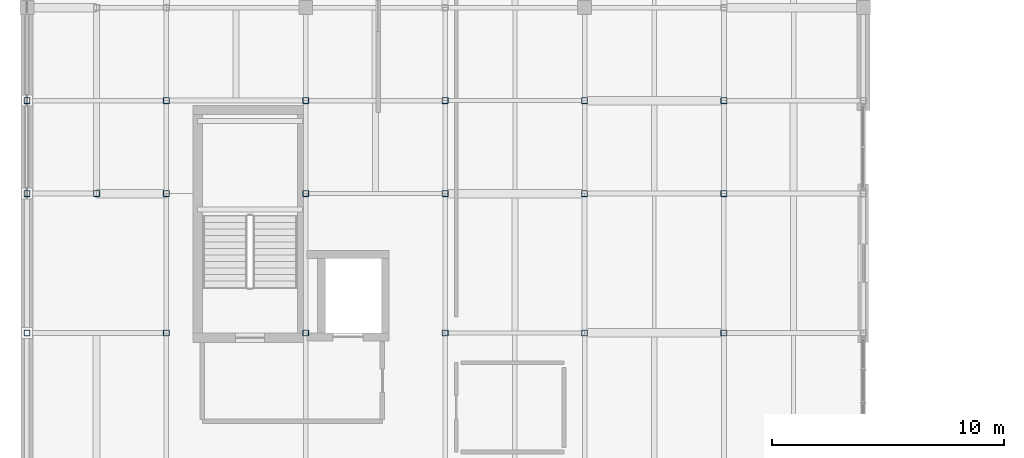
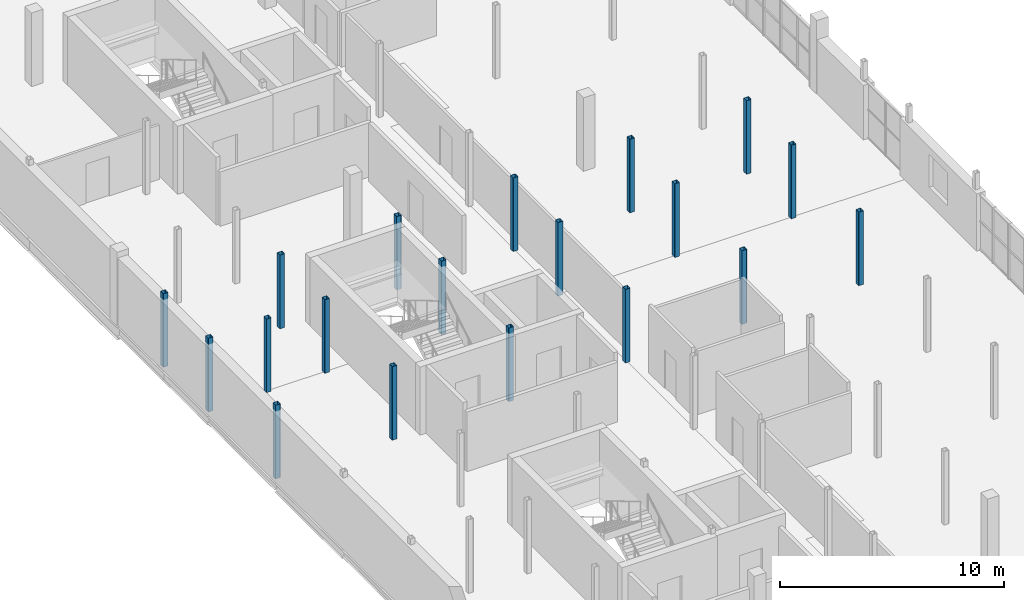
# One storey, part 4 of 35: 19 columns.
"""IFC4 building model written with IfcOpenShell, lengths in metres."""

from ifc_helpers import new_model, si_unit, direction, frame, origin, origin_2d, place, context, subcontext, project, spatial, hollow_rectangle, extrude, material, material_profile, profile_set, type_object, element, save


model = new_model("IFC4")

# Units and contexts
model_context = context("Model", 3, precision=1e-05, world=origin(), true_north=direction((0.0, 1.0)))
body_context = subcontext(model_context, "Body", "Model", "MODEL_VIEW")
ifc_project = project(units=[si_unit("LENGTHUNIT", "METRE"), si_unit("AREAUNIT", "SQUARE_METRE"), si_unit("VOLUMEUNIT", "CUBIC_METRE"), si_unit("PLANEANGLEUNIT", "RADIAN"), si_unit("MASSUNIT", "GRAM", prefix="KILO")], contexts=[model_context])

# Site, building, storey
site_placement = place(None, origin())
site = spatial("IfcSite", under=ifc_project, at=site_placement, CompositionType="ELEMENT")
building_placement = place(site_placement, origin())
building = spatial("IfcBuilding", under=site, at=building_placement, Name="Verrall Gate Interchange", CompositionType="ELEMENT")
storey_placement = place(building_placement, frame((0.0, 0.0, 15.39990234375)))
storey = spatial("IfcBuildingStorey", under=building, at=storey_placement, Name="L04", CompositionType="ELEMENT", Elevation=15.39990234375)

# Columns
ifc_material = material(Name="Structural Steel CSA G40.21 350WT Cat 4", Category="steel")
ifc_material_profile = material_profile(ifc_material, hollow_rectangle(XDim=0.25390625, YDim=0.25390625, WallThickness=0.009521484375, InnerFilletRadius=0.009521484375, OuterFilletRadius=0.01904296875, at=origin_2d()), Name="HSS254x254x9.5")
ifc_profile_set = profile_set([ifc_material_profile], Name="Structural Steel CSA G40.21 350WT Cat 4")
column_type = type_object("IfcColumnType", Name="C-13 Column HSS254x254x9.5", PredefinedType="COLUMN", material=ifc_profile_set)
for number, where, z_axis, x_axis, name in (
    (1, (0.0, 34.0, 0.0), (0.0, 0.0, 1.0), (1.0, 0.0, 0.0), "L04 Column COL-L04-0049 (C-13)"),
    (2, (0.0, 40.0, 0.0), (0.0, 0.0, 1.0), (1.0, 0.0, 0.0), "L04 Column COL-L04-0056 (C-13)"),
    (3, (0.0, 44.0, 0.0), (0.0, 0.0, 1.0), (1.0, 0.0, 0.0), "L04 Column COL-L04-0063 (C-13)"),
    (4, (3.0, 40.0, 0.0), (0.0, 0.0, 1.0), (1.0, 0.0, 0.0), "L04 Column COL-L04-0120 (C-13)"),
    (5, (6.0, 34.0, 0.0), (0.0, 0.0, 1.0), (1.0, 0.0, 0.0), "L04 Column COL-L04-0186 (C-13)"),
    (6, (6.0, 40.0, 0.0), (0.0, 0.0, 1.0), (1.0, 0.0, 0.0), "L04 Column COL-L04-0195 (C-13)"),
    (7, (6.0, 44.0, 0.0), (0.0, 0.0, 1.0), (1.0, 0.0, 0.0), "L04 Column COL-L04-0204 (C-13)"),
    (8, (12.0, 34.0, 0.0), (0.0, 0.0, 1.0), (1.0, 0.0, 0.0), "L04 Column COL-L04-0303 (C-13)"),
    (9, (12.0, 40.0, 0.0), (0.0, 0.0, 1.0), (1.0, 0.0, 0.0), "L04 Column COL-L04-0312 (C-13)"),
    (10, (12.0, 44.0, 0.0), (0.0, 0.0, 1.0), (1.0, 0.0, 0.0), "L04 Column COL-L04-0321 (C-13)"),
    (11, (18.0, 34.0, 0.0), (0.0, 0.0, 1.0), (1.0, 0.0, 0.0), "L04 Column COL-L04-0420 (C-13)"),
    (12, (18.0, 40.0, 0.0), (0.0, 0.0, 1.0), (1.0, 0.0, 0.0), "L04 Column COL-L04-0429 (C-13)"),
    (13, (18.0, 44.0, 0.0), (0.0, 0.0, 1.0), (1.0, 0.0, 0.0), "L04 Column COL-L04-0438 (C-13)"),
    (14, (24.0, 34.0, 0.0), (0.0, 0.0, 1.0), (1.0, 0.0, 0.0), "L04 Column COL-L04-0537 (C-13)"),
    (15, (24.0, 40.0, 0.0), (0.0, 0.0, 1.0), (1.0, 0.0, 0.0), "L04 Column COL-L04-0546 (C-13)"),
    (16, (24.0, 44.0, 0.0), (0.0, 0.0, 1.0), (1.0, 0.0, 0.0), "L04 Column COL-L04-0555 (C-13)"),
    (17, (30.0, 34.0, 0.0), (0.0, 0.0, 1.0), (1.0, 0.0, 0.0), "L04 Column COL-L04-0654 (C-13)"),
    (18, (30.0, 40.0, 0.0), (0.0, 0.0, 1.0), (1.0, 0.0, 0.0), "L04 Column COL-L04-0663 (C-13)"),
    (19, (30.0, 44.0, 0.0), (0.0, 0.0, 1.0), (1.0, 0.0, 0.0), "L04 Column COL-L04-0672 (C-13)"),
):
    element("IfcColumn", number, at=place(storey_placement, frame(where, z_axis=z_axis, x_axis=x_axis)), inside=storey, type_object=column_type, Name=name, PredefinedType="COLUMN", context=body_context, shape_type="SweptSolid", body=[
        extrude(hollow_rectangle(XDim=0.25390625, YDim=0.25390625, WallThickness=0.009521484375, InnerFilletRadius=0.009521484375, OuterFilletRadius=0.01904296875, at=origin_2d()), origin(), (0.0, 0.0, 1.0), 4.0),
    ])

save(model, "model.ifc")
